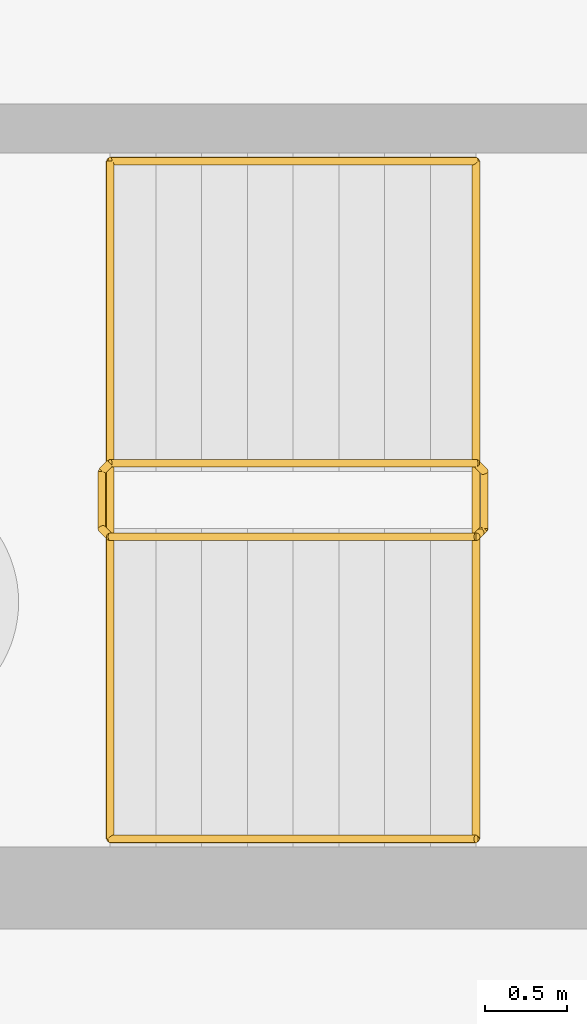
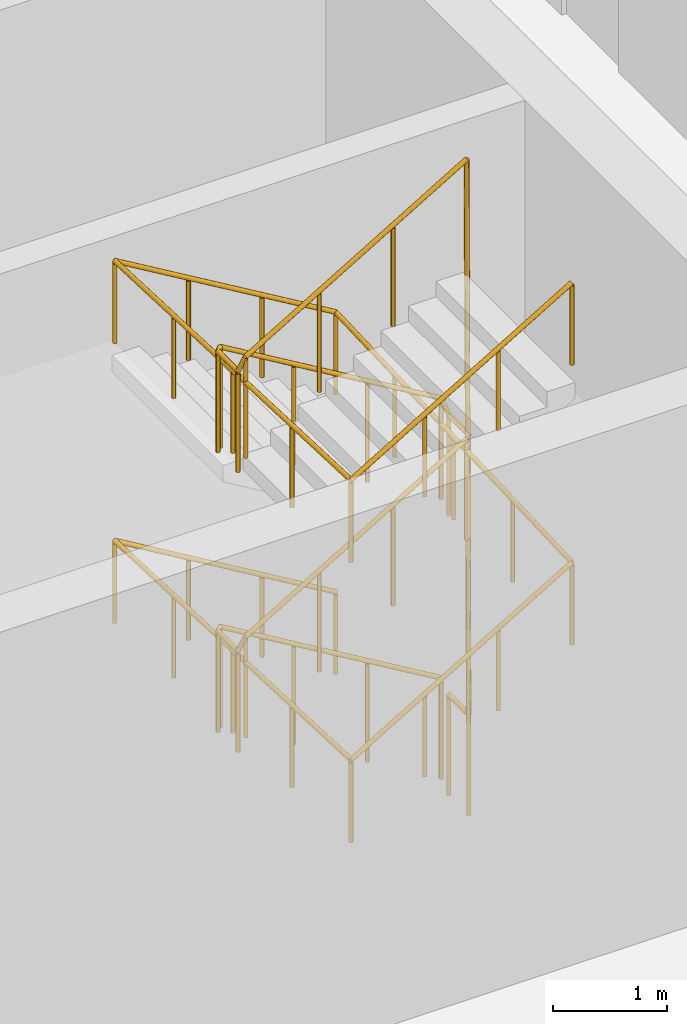
# One storey, part 20 of 25: 2 railings.
"""IFC4 building model written with IfcOpenShell, lengths in metres."""

from ifc_helpers import new_model, si_unit, direction, frame, origin, origin_2d, place, context, subcontext, project, spatial, circle, extrude, material, type_object, element, save


model = new_model("IFC4")

# Units and contexts
model_context = context("Model", 3, precision=1e-05, world=origin(), true_north=direction((0.0, 1.0)))
body_context = subcontext(model_context, "Body", "Model", "MODEL_VIEW")
ifc_project = project(units=[si_unit("LENGTHUNIT", "METRE"), si_unit("AREAUNIT", "SQUARE_METRE"), si_unit("VOLUMEUNIT", "CUBIC_METRE"), si_unit("PLANEANGLEUNIT", "RADIAN"), si_unit("MASSUNIT", "GRAM", prefix="KILO")], contexts=[model_context])

# Site, building, storey
site_placement = place(None, origin())
site = spatial("IfcSite", under=ifc_project, at=site_placement, CompositionType="ELEMENT")
building_placement = place(site_placement, origin())
building = spatial("IfcBuilding", under=site, at=building_placement, Name="Hunhe Ridgeline Campus", CompositionType="ELEMENT")
storey_placement = place(building_placement, frame((0.0, 0.0, -6.0)))
storey = spatial("IfcBuildingStorey", under=building, at=storey_placement, Name="B1", CompositionType="ELEMENT", Elevation=-6.0)

# Railings
ifc_material_1 = material(Name="Stainless steel balustrade", Category="steel")
railing_type_1 = type_object("IfcRailingType", Name="Stair guard 1100 stainless", PredefinedType="GUARDRAIL", material=ifc_material_1)
railing_1_placement = place(storey_placement, frame((33.550048828125, 65.85009765625, 0.166748046875)))
element("IfcRailing", 1, at=railing_1_placement, inside=storey, type_object=railing_type_1, Name="B1 stair S2 guard", PredefinedType="GUARDRAIL", context=body_context, shape_type="SweptSolid", body=[
    extrude(circle(Radius=0.02392578125, at=origin_2d()), frame((0.0, 0.0, 1.076171875), z_axis=(-0.859305625298, 0.0, 0.511462454469), x_axis=(0.0, -1.0, 0.0)), (0.0, 0.0, 1.0), 2.606689453125),
    extrude(circle(Radius=0.02392578125, at=origin_2d()), frame((-2.239990234375, 0.0, 2.4091796875), z_axis=(-0.707106781187, -0.707106781187, 0.0), x_axis=(0.707106781187, -0.707106781187, 0.0)), (0.0, 0.0, 1.0), 0.07080078125),
    extrude(circle(Radius=0.02392578125, at=origin_2d()), frame((-2.2900390625, -0.050048828125, 2.4091796875), z_axis=(0.0, -1.0, 0.0), x_axis=(1.0, 0.0, 0.0)), (0.0, 0.0, 1.0), 0.35009765625),
    extrude(circle(Radius=0.02392578125, at=origin_2d()), frame((-2.2900390625, -0.400146484375, 2.4091796875), z_axis=(0.27628659633, -0.27628659633, 0.920506074601), x_axis=(0.707106781187, 0.707106781187, 0.0)), (0.0, 0.0, 1.0), 0.18115234375),
    extrude(circle(Radius=0.02392578125, at=origin_2d()), frame((-2.239990234375, -0.4501953125, 2.576171875), z_axis=(0.859305625298, 0.0, 0.511462454469), x_axis=(0.0, 1.0, 0.0)), (0.0, 0.0, 1.0), 2.606689453125),
    extrude(circle(Radius=0.02392578125, at=origin_2d()), frame((0.0, -0.4501953125, 3.9091796875), z_axis=(0.707106781187, 0.707106781187, 0.0), x_axis=(-0.707106781187, 0.707106781187, 0.0)), (0.0, 0.0, 1.0), 0.07080078125),
    extrude(circle(Radius=0.02392578125, at=origin_2d()), frame((0.050048828125, -0.400146484375, 3.9091796875), z_axis=(0.0, 1.0, 0.0), x_axis=(-1.0, 0.0, 0.0)), (0.0, 0.0, 1.0), 0.35009765625),
    extrude(circle(Radius=0.02392578125, at=origin_2d()), frame((0.050048828125, -0.050048828125, 3.9091796875), z_axis=(-0.27628659633, 0.27628659633, 0.920506074601), x_axis=(-0.707106781187, -0.707106781187, 0.0)), (0.0, 0.0, 1.0), 0.18115234375),
    extrude(circle(Radius=0.02392578125, at=origin_2d()), frame((0.0, 0.0, 4.076171875), z_axis=(-0.859305625298, 0.0, 0.511462454469), x_axis=(0.0, -1.0, 0.0)), (0.0, 0.0, 1.0), 2.606689453125),
    extrude(circle(Radius=0.02392578125, at=origin_2d()), frame((-2.239990234375, 0.0, 5.4091796875), z_axis=(-0.707106781187, -0.707106781187, 0.0), x_axis=(0.707106781187, -0.707106781187, 0.0)), (0.0, 0.0, 1.0), 0.07080078125),
    extrude(circle(Radius=0.02392578125, at=origin_2d()), frame((-2.2900390625, -0.050048828125, 5.4091796875), z_axis=(0.0, -1.0, 0.0), x_axis=(1.0, 0.0, 0.0)), (0.0, 0.0, 1.0), 0.35009765625),
    extrude(circle(Radius=0.02392578125, at=origin_2d()), frame((-2.2900390625, -0.400146484375, 5.4091796875), z_axis=(0.27628659633, -0.27628659633, 0.920506074601), x_axis=(0.707106781187, 0.707106781187, 0.0)), (0.0, 0.0, 1.0), 0.18115234375),
    extrude(circle(Radius=0.02392578125, at=origin_2d()), frame((-2.239990234375, -0.4501953125, 5.576171875), z_axis=(0.859305625298, 0.0, 0.511462454469), x_axis=(0.0, 1.0, 0.0)), (0.0, 0.0, 1.0), 2.606689453125),
    extrude(circle(Radius=0.02392578125, at=origin_2d()), frame((0.0, -0.4501953125, 6.9091796875), z_axis=(0.008340891014, 0.008340891014, -0.999930427117), x_axis=(1.0, 0.0, 0.0)), (0.0, 0.0, 1.0), 6.00048828125),
    extrude(circle(Radius=0.02392578125, at=origin_2d()), frame((0.050048828125, -0.400146484375, 0.9091796875), z_axis=(0.0, 1.0, 0.0), x_axis=(-1.0, 0.0, 0.0)), (0.0, 0.0, 1.0), 0.35009765625),
    extrude(circle(Radius=0.02099609375, at=origin_2d()), origin(), (0.0, 0.0, 1.0), 1.052001953125),
    extrude(circle(Radius=0.02099609375, at=origin_2d()), frame((-0.74658203125, 0.0, 0.4443359375)), (0.0, 0.0, 1.0), 1.052001953125),
    extrude(circle(Radius=0.02099609375, at=origin_2d()), frame((-1.493408203125, 0.0, 0.888916015625)), (0.0, 0.0, 1.0), 1.052001953125),
    extrude(circle(Radius=0.02099609375, at=origin_2d()), frame((-2.239990234375, 0.0, 1.333251953125)), (0.0, 0.0, 1.0), 1.052001953125),
    extrude(circle(Radius=0.02099609375, at=origin_2d()), frame((-2.2900390625, -0.050048828125, 1.333251953125)), (0.0, 0.0, 1.0), 1.052001953125),
    extrude(circle(Radius=0.02099609375, at=origin_2d()), frame((-2.2900390625, -0.400146484375, 1.333251953125)), (0.0, 0.0, 1.0), 1.052001953125),
    extrude(circle(Radius=0.02099609375, at=origin_2d()), frame((-2.239990234375, -0.4501953125, 1.5)), (0.0, 0.0, 1.0), 1.052001953125),
    extrude(circle(Radius=0.02099609375, at=origin_2d()), frame((-1.493408203125, -0.4501953125, 1.9443359375)), (0.0, 0.0, 1.0), 1.052001953125),
    extrude(circle(Radius=0.02099609375, at=origin_2d()), frame((-0.74658203125, -0.4501953125, 2.388916015625)), (0.0, 0.0, 1.0), 1.052001953125),
    extrude(circle(Radius=0.02099609375, at=origin_2d()), frame((0.0, -0.4501953125, 2.833251953125)), (0.0, 0.0, 1.0), 1.052001953125),
    extrude(circle(Radius=0.02099609375, at=origin_2d()), frame((0.050048828125, -0.400146484375, 2.833251953125)), (0.0, 0.0, 1.0), 1.052001953125),
    extrude(circle(Radius=0.02099609375, at=origin_2d()), frame((0.050048828125, -0.050048828125, 2.833251953125)), (0.0, 0.0, 1.0), 1.052001953125),
    extrude(circle(Radius=0.02099609375, at=origin_2d()), frame((0.0, 0.0, 3.0)), (0.0, 0.0, 1.0), 1.052001953125),
    extrude(circle(Radius=0.02099609375, at=origin_2d()), frame((-0.74658203125, 0.0, 3.4443359375)), (0.0, 0.0, 1.0), 1.052001953125),
    extrude(circle(Radius=0.02099609375, at=origin_2d()), frame((-1.493408203125, 0.0, 3.888916015625)), (0.0, 0.0, 1.0), 1.052001953125),
    extrude(circle(Radius=0.02099609375, at=origin_2d()), frame((-2.239990234375, 0.0, 4.333251953125)), (0.0, 0.0, 1.0), 1.052001953125),
    extrude(circle(Radius=0.02099609375, at=origin_2d()), frame((-2.2900390625, -0.050048828125, 4.333251953125)), (0.0, 0.0, 1.0), 1.052001953125),
    extrude(circle(Radius=0.02099609375, at=origin_2d()), frame((-2.2900390625, -0.400146484375, 4.333251953125)), (0.0, 0.0, 1.0), 1.052001953125),
    extrude(circle(Radius=0.02099609375, at=origin_2d()), frame((-2.239990234375, -0.4501953125, 4.5)), (0.0, 0.0, 1.0), 1.052001953125),
    extrude(circle(Radius=0.02099609375, at=origin_2d()), frame((-1.493408203125, -0.4501953125, 4.9443359375)), (0.0, 0.0, 1.0), 1.052001953125),
    extrude(circle(Radius=0.02099609375, at=origin_2d()), frame((-0.74658203125, -0.4501953125, 5.388916015625)), (0.0, 0.0, 1.0), 1.052001953125),
    extrude(circle(Radius=0.02099609375, at=origin_2d()), frame((0.0, -0.4501953125, 5.833251953125)), (0.0, 0.0, 1.0), 1.052001953125),
    extrude(circle(Radius=0.02099609375, at=origin_2d()), frame((0.00830078125, -0.44189453125, 4.833251953125)), (0.0, 0.0, 1.0), 1.052001953125),
    extrude(circle(Radius=0.02099609375, at=origin_2d()), frame((0.0166015625, -0.43359375, 3.833251953125)), (0.0, 0.0, 1.0), 1.052001953125),
    extrude(circle(Radius=0.02099609375, at=origin_2d()), frame((0.02490234375, -0.42529296875, 2.833251953125)), (0.0, 0.0, 1.0), 1.052001953125),
    extrude(circle(Radius=0.02099609375, at=origin_2d()), frame((0.033447265625, -0.416748046875, 1.833251953125)), (0.0, 0.0, 1.0), 1.052001953125),
    extrude(circle(Radius=0.02099609375, at=origin_2d()), frame((0.041748046875, -0.408447265625, 0.833251953125)), (0.0, 0.0, 1.0), 1.052001953125),
    extrude(circle(Radius=0.02099609375, at=origin_2d()), frame((0.050048828125, -0.400146484375, -0.166748046875)), (0.0, 0.0, 1.0), 1.052001953125),
    extrude(circle(Radius=0.02099609375, at=origin_2d()), frame((0.050048828125, -0.050048828125, -0.166748046875)), (0.0, 0.0, 1.0), 1.052001953125),
])
ifc_material_2 = material(Name="Stainless steel handrail", Category="steel")
railing_type_2 = type_object("IfcRailingType", Name="Stair handrail 900 stainless", PredefinedType="HANDRAIL", material=ifc_material_2)
railing_2_placement = place(storey_placement, frame((33.550048828125, 67.699951171875, 0.166748046875)))
element("IfcRailing", 2, at=railing_2_placement, inside=storey, type_object=railing_type_2, Name="B1 stair S2 handrail", PredefinedType="HANDRAIL", context=body_context, shape_type="SweptSolid", body=[
    extrude(circle(Radius=0.02392578125, at=origin_2d()), frame((0.0, 0.0, 0.8759765625), z_axis=(-0.859305625298, 0.0, 0.511462454469), x_axis=(0.0, -1.0, 0.0)), (0.0, 0.0, 1.0), 2.606689453125),
    extrude(circle(Radius=0.02392578125, at=origin_2d()), frame((-2.239990234375, 0.0, 2.208984375), z_axis=(0.0, -0.999193711872, 0.040148800165), x_axis=(1.0, 0.0, 0.0)), (0.0, 0.0, 1.0), 4.1533203125),
    extrude(circle(Radius=0.02392578125, at=origin_2d()), frame((-2.239990234375, -4.14990234375, 2.3759765625), z_axis=(0.859305625298, 0.0, 0.511462454469), x_axis=(0.0, 1.0, 0.0)), (0.0, 0.0, 1.0), 2.606689453125),
    extrude(circle(Radius=0.02392578125, at=origin_2d()), frame((0.0, -4.14990234375, 3.708984375), z_axis=(0.0, 0.999193711872, 0.040148800165), x_axis=(-1.0, 0.0, 0.0)), (0.0, 0.0, 1.0), 4.1533203125),
    extrude(circle(Radius=0.02392578125, at=origin_2d()), frame((0.0, 0.0, 3.8759765625), z_axis=(-0.859305625298, 0.0, 0.511462454469), x_axis=(0.0, -1.0, 0.0)), (0.0, 0.0, 1.0), 2.606689453125),
    extrude(circle(Radius=0.02392578125, at=origin_2d()), frame((-2.239990234375, 0.0, 5.208984375), z_axis=(0.0, -0.999193711872, 0.040148800165), x_axis=(1.0, 0.0, 0.0)), (0.0, 0.0, 1.0), 4.1533203125),
    extrude(circle(Radius=0.02392578125, at=origin_2d()), frame((-2.239990234375, -4.14990234375, 5.3759765625), z_axis=(0.859305625298, 0.0, 0.511462454469), x_axis=(0.0, 1.0, 0.0)), (0.0, 0.0, 1.0), 2.606689453125),
    extrude(circle(Radius=0.02099609375, at=origin_2d()), origin(), (0.0, 0.0, 1.0), 0.851806640625),
    extrude(circle(Radius=0.02099609375, at=origin_2d()), frame((-0.74658203125, 0.0, 0.4443359375)), (0.0, 0.0, 1.0), 0.851806640625),
    extrude(circle(Radius=0.02099609375, at=origin_2d()), frame((-1.493408203125, 0.0, 0.888916015625)), (0.0, 0.0, 1.0), 0.851806640625),
    extrude(circle(Radius=0.02099609375, at=origin_2d()), frame((-2.239990234375, 0.0, 1.333251953125)), (0.0, 0.0, 1.0), 0.851806640625),
    extrude(circle(Radius=0.02099609375, at=origin_2d()), frame((-2.239990234375, -1.03759765625, 1.375)), (0.0, 0.0, 1.0), 0.851806640625),
    extrude(circle(Radius=0.02099609375, at=origin_2d()), frame((-2.239990234375, -2.074951171875, 1.41650390625)), (0.0, 0.0, 1.0), 0.851806640625),
    extrude(circle(Radius=0.02099609375, at=origin_2d()), frame((-2.239990234375, -3.1123046875, 1.458251953125)), (0.0, 0.0, 1.0), 0.851806640625),
    extrude(circle(Radius=0.02099609375, at=origin_2d()), frame((-2.239990234375, -4.14990234375, 1.5)), (0.0, 0.0, 1.0), 0.851806640625),
    extrude(circle(Radius=0.02099609375, at=origin_2d()), frame((-1.493408203125, -4.14990234375, 1.9443359375)), (0.0, 0.0, 1.0), 0.851806640625),
    extrude(circle(Radius=0.02099609375, at=origin_2d()), frame((-0.74658203125, -4.14990234375, 2.388916015625)), (0.0, 0.0, 1.0), 0.851806640625),
    extrude(circle(Radius=0.02099609375, at=origin_2d()), frame((0.0, -4.14990234375, 2.833251953125)), (0.0, 0.0, 1.0), 0.851806640625),
    extrude(circle(Radius=0.02099609375, at=origin_2d()), frame((0.0, -3.1123046875, 2.875)), (0.0, 0.0, 1.0), 0.851806640625),
    extrude(circle(Radius=0.02099609375, at=origin_2d()), frame((0.0, -2.074951171875, 2.91650390625)), (0.0, 0.0, 1.0), 0.851806640625),
    extrude(circle(Radius=0.02099609375, at=origin_2d()), frame((0.0, -1.03759765625, 2.958251953125)), (0.0, 0.0, 1.0), 0.851806640625),
    extrude(circle(Radius=0.02099609375, at=origin_2d()), frame((0.0, 0.0, 3.0)), (0.0, 0.0, 1.0), 0.851806640625),
    extrude(circle(Radius=0.02099609375, at=origin_2d()), frame((-0.74658203125, 0.0, 3.4443359375)), (0.0, 0.0, 1.0), 0.851806640625),
    extrude(circle(Radius=0.02099609375, at=origin_2d()), frame((-1.493408203125, 0.0, 3.888916015625)), (0.0, 0.0, 1.0), 0.851806640625),
    extrude(circle(Radius=0.02099609375, at=origin_2d()), frame((-2.239990234375, 0.0, 4.333251953125)), (0.0, 0.0, 1.0), 0.851806640625),
    extrude(circle(Radius=0.02099609375, at=origin_2d()), frame((-2.239990234375, -1.03759765625, 4.375)), (0.0, 0.0, 1.0), 0.851806640625),
    extrude(circle(Radius=0.02099609375, at=origin_2d()), frame((-2.239990234375, -2.074951171875, 4.41650390625)), (0.0, 0.0, 1.0), 0.851806640625),
    extrude(circle(Radius=0.02099609375, at=origin_2d()), frame((-2.239990234375, -3.1123046875, 4.458251953125)), (0.0, 0.0, 1.0), 0.851806640625),
    extrude(circle(Radius=0.02099609375, at=origin_2d()), frame((-2.239990234375, -4.14990234375, 4.5)), (0.0, 0.0, 1.0), 0.851806640625),
    extrude(circle(Radius=0.02099609375, at=origin_2d()), frame((-1.493408203125, -4.14990234375, 4.9443359375)), (0.0, 0.0, 1.0), 0.851806640625),
    extrude(circle(Radius=0.02099609375, at=origin_2d()), frame((-0.74658203125, -4.14990234375, 5.388916015625)), (0.0, 0.0, 1.0), 0.851806640625),
    extrude(circle(Radius=0.02099609375, at=origin_2d()), frame((0.0, -4.14990234375, 5.833251953125)), (0.0, 0.0, 1.0), 0.851806640625),
])

save(model, "model.ifc")
